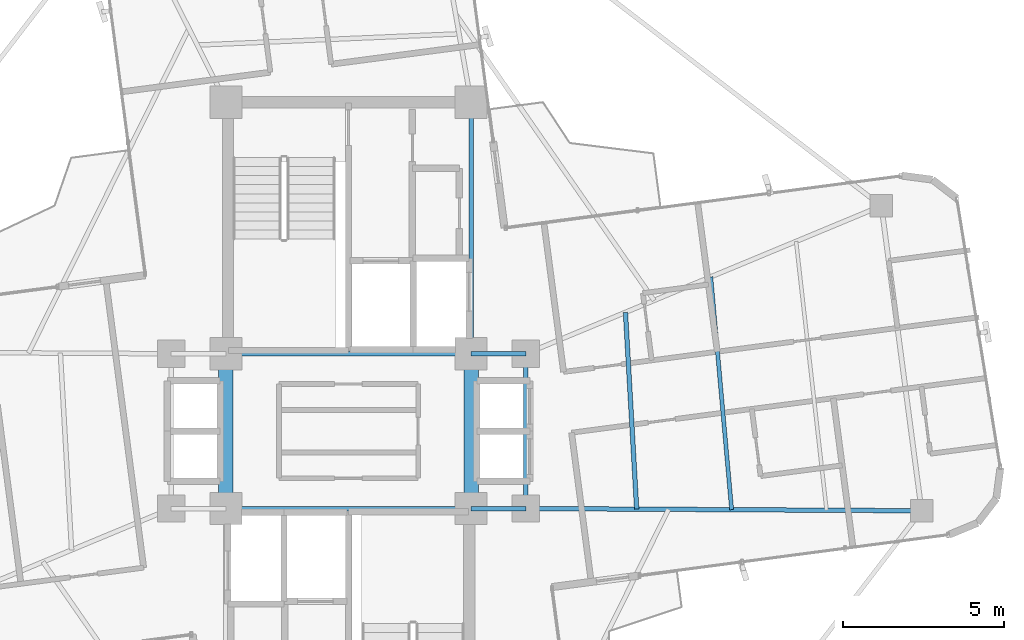
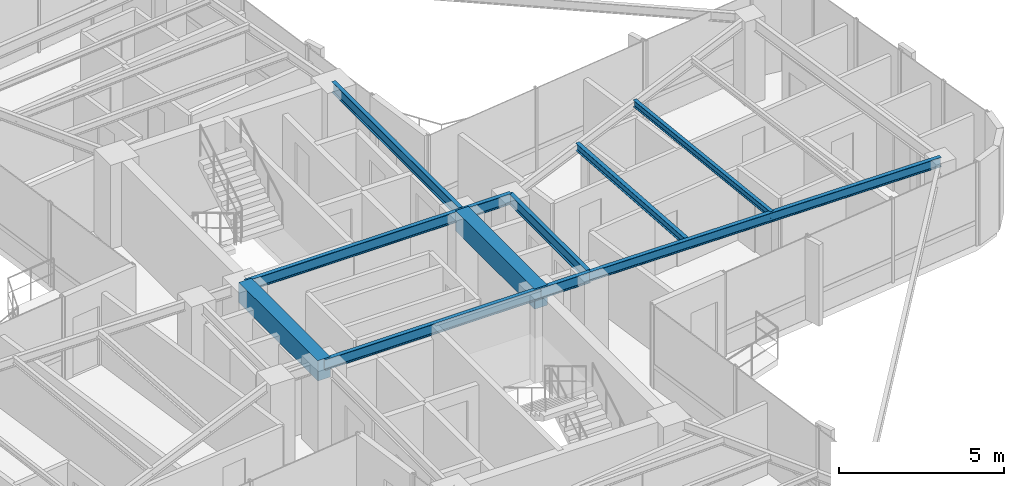
# One storey, part 10 of 22: 11 beams.
"""IFC4 building model written with IfcOpenShell, lengths in metres."""

from ifc_helpers import new_model, si_unit, direction, frame, origin, origin_2d, place, context, subcontext, project, spatial, rectangle, i_section, extrude, source, transform, mapped, material, material_profile, profile_set, type_object, element, save


model = new_model("IFC4")

# Units and contexts
model_context = context("Model", 3, precision=1e-05, world=origin(), true_north=direction((0.0, 1.0)))
body_context = subcontext(model_context, "Body", "Model", "MODEL_VIEW")
ifc_project = project(units=[si_unit("LENGTHUNIT", "METRE"), si_unit("AREAUNIT", "SQUARE_METRE"), si_unit("VOLUMEUNIT", "CUBIC_METRE"), si_unit("PLANEANGLEUNIT", "RADIAN"), si_unit("MASSUNIT", "GRAM", prefix="KILO")], contexts=[model_context])

# Site, building, storey
site_placement = place(None, origin())
site = spatial("IfcSite", under=ifc_project, at=site_placement, CompositionType="ELEMENT")
building_placement = place(site_placement, origin())
building = spatial("IfcBuilding", under=site, at=building_placement, Name="Sahyath Konkavel Grand Hotel", CompositionType="ELEMENT")
storey_placement = place(building_placement, frame((0.0, 0.0, 244.5)))
storey = spatial("IfcBuildingStorey", under=building, at=storey_placement, Name="L68", CompositionType="ELEMENT", Elevation=244.5)

# Beams
ifc_material_1 = material(Name="Steel E350", Category="steel")
ifc_material_profile_1 = material_profile(ifc_material_1, i_section(OverallWidth=0.139892578125, OverallDepth=0.39990234375, WebThickness=0.0087890625, FlangeThickness=0.01611328125, FilletRadius=0.013916015625, at=origin_2d()), Name="ISMB 400")
ifc_profile_set_1 = profile_set([ifc_material_profile_1], Name="Steel E350")
beam_type_1 = type_object("IfcBeamType", Name="BM-ISMB400", PredefinedType="BEAM", material=ifc_profile_set_1)
shared_shape_1 = source(origin(), body_context, "Body", "SweptSolid", [
    extrude(i_section(OverallWidth=0.139892578125, OverallDepth=0.39990234375, WebThickness=0.0087890625, FlangeThickness=0.01611328125, FilletRadius=0.013916015625, at=origin_2d()), origin(), (0.0, 0.0, 1.0), 7.60009765625),
])
for number, where, z_axis, x_axis, name in (
    (1, (-3.800048828125, 2.39990234375, 2.909912109375), (1.0, 0.0, 0.0), (0.0, 1.0, 0.0), "str:bm:L68:NC-S"),
    (2, (-3.800048828125, -2.39990234375, 2.909912109375), (1.0, 0.0, 0.0), (0.0, 1.0, 0.0), "str:bm:L68:SC-N"),
):
    element("IfcBeam", number, at=place(storey_placement, frame(where, z_axis=z_axis, x_axis=x_axis)), inside=storey, type_object=beam_type_1, Name=name, PredefinedType="BEAM", context=body_context, shape_type="MappedRepresentation", body=[
        mapped(shared_shape_1, transform((0.0, 0.0, 0.0), scale=1.0)),
    ])
shared_shape_2 = source(origin(), body_context, "Body", "SweptSolid", [
    extrude(i_section(OverallWidth=0.139892578125, OverallDepth=0.39990234375, WebThickness=0.0087890625, FlangeThickness=0.01611328125, FilletRadius=0.013916015625, at=origin_2d()), origin(), (0.0, 0.0, 1.0), 7.800048828125),
])
beam_1_placement = place(storey_placement, frame((3.800048828125, 2.39990234375, 2.909912109375), z_axis=(0.0, 1.0, 0.0), x_axis=(-1.0, 0.0, 0.0)))
element("IfcBeam", 3, at=beam_1_placement, inside=storey, type_object=beam_type_1, Name="str:bm:L68:NC-E", PredefinedType="BEAM", context=body_context, shape_type="MappedRepresentation", body=[
    mapped(shared_shape_2, transform((0.0, 0.0, 0.0), scale=1.0)),
])
shared_shape_3 = source(origin(), body_context, "Body", "SweptSolid", [
    extrude(i_section(OverallWidth=0.139892578125, OverallDepth=0.39990234375, WebThickness=0.0087890625, FlangeThickness=0.01611328125, FilletRadius=0.013916015625, at=origin_2d()), origin(), (0.0, 0.0, 1.0), 1.699951171875),
])
for number, where, z_axis, x_axis, name in (
    (4, (3.800048828125, 2.39990234375, 2.909912109375), (1.0, 0.0, 0.0), (0.0, 1.0, 0.0), "str:bm:L68:HB-NE"),
    (5, (3.800048828125, -2.39990234375, 2.909912109375), (1.0, 0.0, 0.0), (0.0, 1.0, 0.0), "str:bm:L68:HB-SE"),
):
    element("IfcBeam", number, at=place(storey_placement, frame(where, z_axis=z_axis, x_axis=x_axis)), inside=storey, type_object=beam_type_1, Name=name, PredefinedType="BEAM", context=body_context, shape_type="MappedRepresentation", body=[
        mapped(shared_shape_3, transform((0.0, 0.0, 0.0), scale=1.0)),
    ])
shared_shape_4 = source(origin(), body_context, "Body", "SweptSolid", [
    extrude(i_section(OverallWidth=0.139892578125, OverallDepth=0.39990234375, WebThickness=0.0087890625, FlangeThickness=0.01611328125, FilletRadius=0.013916015625, at=origin_2d()), origin(), (0.0, 0.0, 1.0), 4.7998046875),
])
beam_2_placement = place(storey_placement, frame((5.5, -2.39990234375, 2.909912109375), z_axis=(0.0, 1.0, 0.0), x_axis=(-1.0, 0.0, 0.0)))
element("IfcBeam", 6, at=beam_2_placement, inside=storey, type_object=beam_type_1, Name="str:bm:L68:HB-E", PredefinedType="BEAM", context=body_context, shape_type="MappedRepresentation", body=[
    mapped(shared_shape_4, transform((0.0, 0.0, 0.0), scale=1.0)),
])
ifc_material_2 = material(Name="Concrete C40/50", Category="concrete")
ifc_material_profile_2 = material_profile(ifc_material_2, rectangle(XDim=0.449951171875, YDim=0.75, at=origin_2d()), Name="RC 450x750")
ifc_profile_set_2 = profile_set([ifc_material_profile_2], Name="Concrete C40/50")
beam_type_2 = type_object("IfcBeamType", Name="BM-CB450x750", PredefinedType="LINTEL", material=ifc_profile_set_2)
shared_shape_5 = source(origin(), body_context, "Body", "SweptSolid", [
    extrude(rectangle(XDim=0.449951171875, YDim=0.75, at=origin_2d()), origin(), (0.0, 0.0, 1.0), 4.7998046875),
])
for number, where, z_axis, x_axis, name in (
    (7, (-3.800048828125, -2.39990234375, 2.735107421875), (0.0, 1.0, 0.0), (-1.0, 0.0, 0.0), "L68 Split-Core Coupling Beam West"),
    (8, (3.800048828125, -2.39990234375, 2.735107421875), (0.0, 1.0, 0.0), (-1.0, 0.0, 0.0), "L68 Split-Core Coupling Beam East"),
):
    element("IfcBeam", number, at=place(storey_placement, frame(where, z_axis=z_axis, x_axis=x_axis)), inside=storey, type_object=beam_type_2, Name=name, PredefinedType="LINTEL", context=body_context, shape_type="MappedRepresentation", body=[
        mapped(shared_shape_5, transform((0.0, 0.0, 0.0), scale=1.0)),
    ])
ifc_material_profile_3 = material_profile(ifc_material_1, i_section(OverallWidth=0.139892578125, OverallDepth=0.35009765625, WebThickness=0.008056640625, FlangeThickness=0.01416015625, FilletRadius=0.013916015625, at=origin_2d()), Name="ISMB 350")
ifc_profile_set_3 = profile_set([ifc_material_profile_3], Name="Steel E350")
beam_type_3 = type_object("IfcBeamType", Name="BM-ISMB350", PredefinedType="BEAM", material=ifc_profile_set_3)
shared_shape_6 = source(origin(), body_context, "Body", "SweptSolid", [
    extrude(i_section(OverallWidth=0.139892578125, OverallDepth=0.35009765625, WebThickness=0.008056640625, FlangeThickness=0.01416015625, FilletRadius=0.013916015625, at=origin_2d()), origin(), (0.0, 0.0, 1.0), 12.267578125),
])
beam_3_placement = place(storey_placement, frame((5.5, -2.39990234375, 2.93505859375), z_axis=(0.999984139668, -0.005632087717, 0.0), x_axis=(0.005632087717, 0.999984139668, 0.0)))
element("IfcBeam", 9, at=beam_3_placement, inside=storey, type_object=beam_type_3, Name="L68 Cruciform Radial Girder EA", PredefinedType="BEAM", context=body_context, shape_type="MappedRepresentation", body=[
    mapped(shared_shape_6, transform((0.0, 0.0, 0.0), scale=1.0)),
])
ifc_material_profile_4 = material_profile(ifc_material_1, i_section(OverallWidth=0.139892578125, OverallDepth=0.27490234375, WebThickness=0.00634765625, FlangeThickness=0.0087890625, FilletRadius=0.012939453125, at=origin_2d()), Name="ISLB 275")
ifc_profile_set_4 = profile_set([ifc_material_profile_4], Name="Steel E350")
beam_type_4 = type_object("IfcBeamType", Name="BM-ISLB275", PredefinedType="BEAM", material=ifc_profile_set_4)
shared_shape_7 = source(origin(), body_context, "Body", "SweptSolid", [
    extrude(i_section(OverallWidth=0.139892578125, OverallDepth=0.27490234375, WebThickness=0.00634765625, FlangeThickness=0.0087890625, FilletRadius=0.012939453125, at=origin_2d()), origin(), (0.0, 0.0, 1.0), 6.112548828125),
])
beam_4_placement = place(storey_placement, frame((8.934814453125, -2.419189453125, 2.972412109375), z_axis=(-0.056996329474, 0.998374387906, 0.0), x_axis=(-0.998374387906, -0.056996329474, 0.0)))
element("IfcBeam", 10, at=beam_4_placement, inside=storey, type_object=beam_type_4, Name="L68 Secondary Floor Beam E-1", PredefinedType="BEAM", context=body_context, shape_type="MappedRepresentation", body=[
    mapped(shared_shape_7, transform((0.0, 0.0, 0.0), scale=1.0)),
])
ifc_material_profile_5 = material_profile(ifc_material_1, i_section(OverallWidth=0.125, OverallDepth=0.25, WebThickness=0.0068359375, FlangeThickness=0.012451171875, FilletRadius=0.012939453125, at=origin_2d()), Name="ISMB 250")
ifc_profile_set_5 = profile_set([ifc_material_profile_5], Name="Steel E350")
beam_type_5 = type_object("IfcBeamType", Name="BM-ISMB250", PredefinedType="BEAM", material=ifc_profile_set_5)
shared_shape_8 = source(origin(), body_context, "Body", "SweptSolid", [
    extrude(i_section(OverallWidth=0.125, OverallDepth=0.25, WebThickness=0.0068359375, FlangeThickness=0.012451171875, FilletRadius=0.012939453125, at=origin_2d()), origin(), (0.0, 0.0, 1.0), 7.248291015625),
])
beam_5_placement = place(storey_placement, frame((11.87890625, -2.435791015625, 2.985107421875), z_axis=(-0.089260132616, 0.996008347719, 0.0), x_axis=(-0.996008347719, -0.089260132616, 0.0)))
element("IfcBeam", 11, at=beam_5_placement, inside=storey, type_object=beam_type_5, Name="L68 Secondary Floor Beam E-2", PredefinedType="BEAM", context=body_context, shape_type="MappedRepresentation", body=[
    mapped(shared_shape_8, transform((0.0, 0.0, 0.0), scale=1.0)),
])

save(model, "model.ifc")
